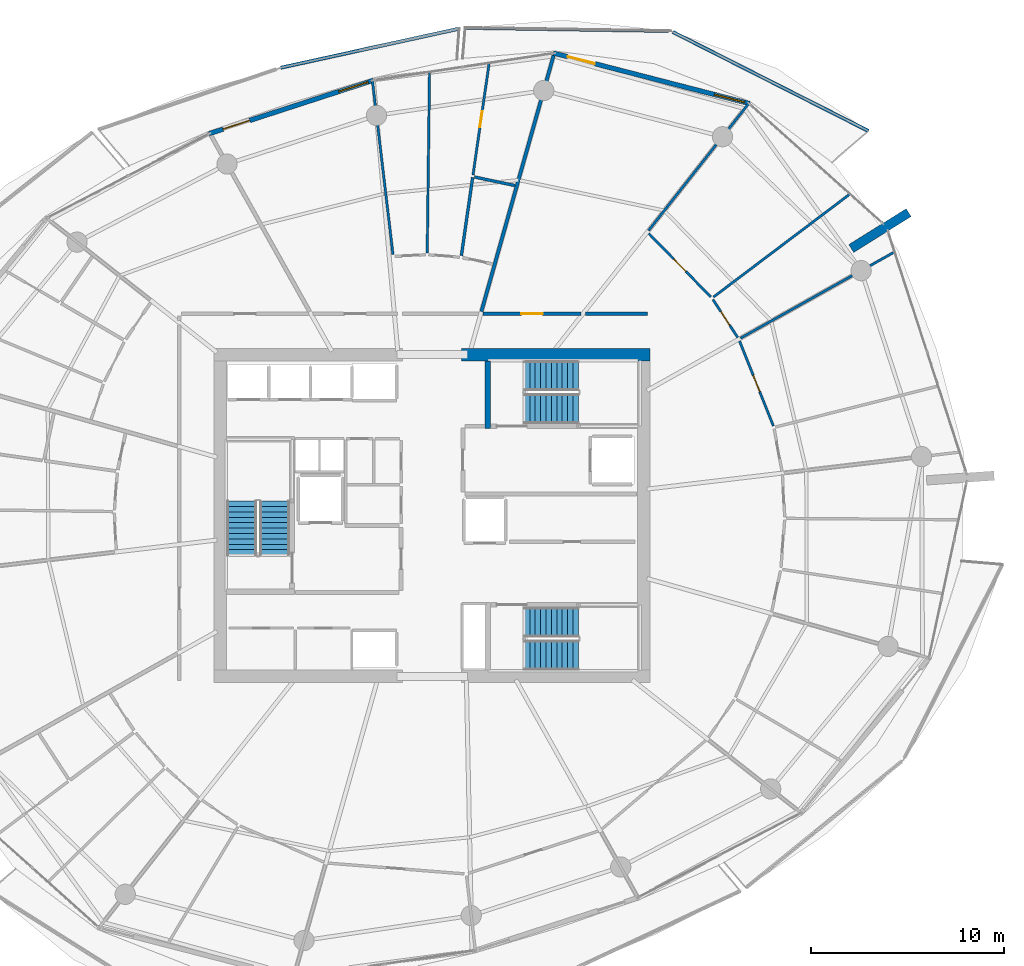
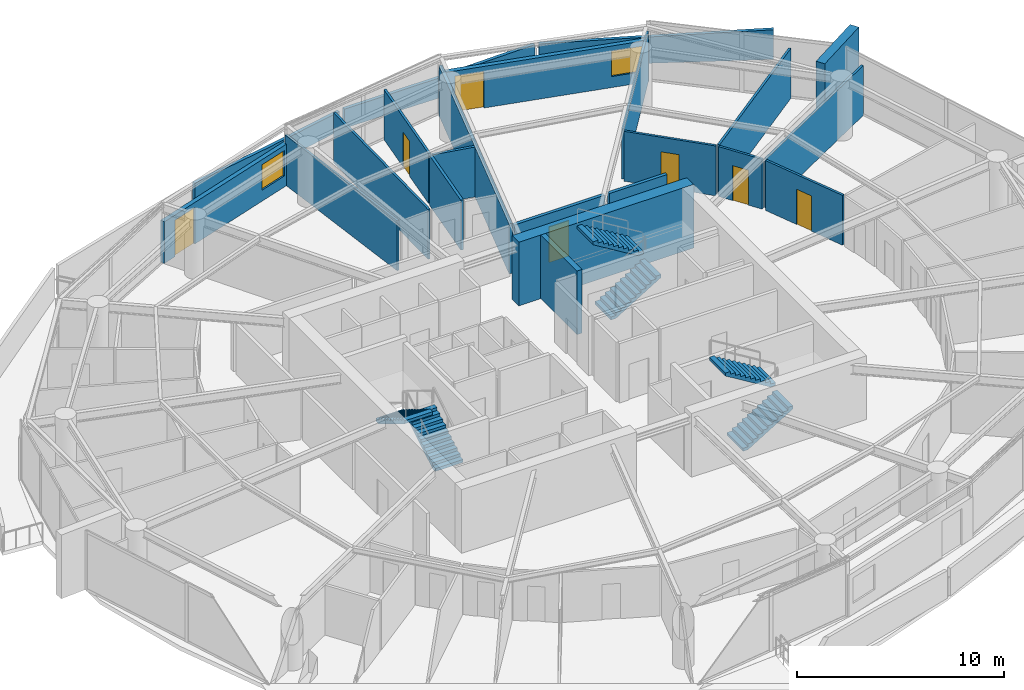
# One storey, part 15 of 20: 22 walls, 7 doors, 6 stair flights, 2 windows, 9 openings, 3 elements without a shape of their own.
"""IFC4 building model written with IfcOpenShell, lengths in metres."""

import ifcopenshell
import ifcopenshell.guid

model = None  # the IFC model being written
_history = None  # IfcOwnerHistory: only IFC2X3 demands one
_inside = {}  # id of a spatial element -> (the spatial element, [elements in it])
_under = {}  # id of a project, library or spatial element -> (it, [spatial elements below it])
_declared = {}  # id of a project -> (the project, [libraries it declares])
_typed = {}  # id of a type object -> (the type object, [elements of that type])
_made_of = {}  # id of a material, layer set ... -> (it, [elements and type objects made of it])


def new_model(schema):
    """Start an empty IFC model of exactly this schema.

    Asked for "IFC4X3", IfcOpenShell would pick the latest addendum, in which some entities
    have other attributes; the version numbers below select the first issue.
    IFC2X3 requires an IfcOwnerHistory on every rooted entity: one is made here for all.
    """
    global model, _history
    if schema == "IFC4X3":
        model = ifcopenshell.file(schema_version=(4, 3, 0, 0))
    else:
        model = ifcopenshell.file(schema=schema)
    _inside.clear()
    _under.clear()
    _declared.clear()
    _typed.clear()
    _made_of.clear()
    _history = None
    if model.schema == "IFC2X3":
        org = make("IfcOrganization", Name="unknown")
        user = make(
            "IfcPersonAndOrganization",
            ThePerson=make("IfcPerson", FamilyName="unknown"),
            TheOrganization=org,
        )
        app = make(
            "IfcApplication",
            ApplicationDeveloper=org,
            Version="unknown",
            ApplicationFullName="unknown",
            ApplicationIdentifier="unknown",
        )
        _history = make(
            "IfcOwnerHistory",
            OwningUser=user,
            OwningApplication=app,
            ChangeAction="ADDED",
            CreationDate=0,
        )
    return model


def make(cls, **values):
    """One entity of the class cls with the attributes given. An attribute that is None is left unset."""
    return model.create_entity(
        cls, **{name: value for name, value in values.items() if value is not None}
    )


def rooted(cls, **values):
    """An entity with a GlobalId (a new one), such as an element, a storey or a relation."""
    return make(cls, GlobalId=ifcopenshell.guid.new(), OwnerHistory=_history, **values)


def si_unit(unit_type, name, prefix=None):
    """IfcSIUnit, for example si_unit("LENGTHUNIT", "METRE", prefix="MILLI")."""
    return make("IfcSIUnit", UnitType=unit_type, Prefix=prefix, Name=name)


def assignment(units):
    """IfcUnitAssignment: the units of a project."""
    return None if units is None else make("IfcUnitAssignment", Units=units)


def point(xyz):
    """IfcCartesianPoint."""
    return None if xyz is None else make("IfcCartesianPoint", Coordinates=xyz)


def direction(xyz):
    """IfcDirection."""
    return None if xyz is None else make("IfcDirection", DirectionRatios=xyz)


def frame(location, z_axis=None, x_axis=None):
    """IfcAxis2Placement3D, a coordinate frame: its origin and axes. An axis left out is left unset."""
    return make(
        "IfcAxis2Placement3D",
        Location=point(location),
        Axis=direction(z_axis),
        RefDirection=direction(x_axis),
    )


def frame_2d(location, x_axis=None):
    """IfcAxis2Placement2D, a coordinate frame in the plane: its origin and x axis."""
    return make(
        "IfcAxis2Placement2D", Location=point(location), RefDirection=direction(x_axis)
    )


def origin():
    """The frame at (0, 0, 0) with its axes left unset."""
    return frame((0.0, 0.0, 0.0))


def place(relative_to, where):
    """IfcLocalPlacement: puts the frame where relative to a parent placement (None: the world)."""
    return make(
        "IfcLocalPlacement", PlacementRelTo=relative_to, RelativePlacement=where
    )


def context(
    kind, dimensions, precision=None, world=None, true_north=None, identifier=None
):
    """IfcGeometricRepresentationContext, for example the 3D "Model" context."""
    return make(
        "IfcGeometricRepresentationContext",
        ContextIdentifier=identifier,
        ContextType=kind,
        CoordinateSpaceDimension=dimensions,
        Precision=precision,
        WorldCoordinateSystem=world,
        TrueNorth=true_north,
    )


def subcontext(parent, identifier, kind, view, scale=None):
    """IfcGeometricRepresentationSubContext, for example "Body" below "Model"."""
    return make(
        "IfcGeometricRepresentationSubContext",
        ContextIdentifier=identifier,
        ContextType=kind,
        ParentContext=parent,
        TargetScale=scale,
        TargetView=view,
    )


def project(units=None, contexts=None):
    """IfcProject with its units and contexts."""
    return rooted(
        "IfcProject",
        Name="project",
        RepresentationContexts=contexts,
        UnitsInContext=assignment(units),
    )


def spatial(cls, under=None, at=None, **own):
    """A site, building, storey or space (cls), placed at a placement, below another one or the project."""
    s = rooted(cls, ObjectPlacement=at, **own)
    if under is not None:
        _under.setdefault(under.id(), (under, []))[1].append(s)
    return s


def polyline(points):
    """IfcPolyline through the points."""
    return make("IfcPolyline", Points=[point(p) for p in points])


def profile(cls, at=None, kind="AREA", **sizes):
    """A parametric profile (cls). Its sizes go by their IFC names, for example OverallWidth=200.0."""
    return make(cls, ProfileType=kind, Position=at, **sizes)


def rectangle(**sizes):
    """IfcRectangleProfileDef."""
    return profile("IfcRectangleProfileDef", **sizes)


def outline(outer, holes=None, kind="AREA"):
    """IfcArbitraryClosedProfileDef: a profile drawn as a closed curve; with holes, ...WithVoids."""
    if holes is None:
        return make("IfcArbitraryClosedProfileDef", ProfileType=kind, OuterCurve=outer)
    return make(
        "IfcArbitraryProfileDefWithVoids",
        ProfileType=kind,
        OuterCurve=outer,
        InnerCurves=holes,
    )


def extrude(swept, where, along, depth):
    """IfcExtrudedAreaSolid: the profile swept, set in the frame where, extruded along a direction by depth."""
    return make(
        "IfcExtrudedAreaSolid",
        SweptArea=swept,
        Position=where,
        ExtrudedDirection=direction(along),
        Depth=depth,
    )


def shape(context_of_items, identifier, shape_type, items):
    """IfcShapeRepresentation: the items that make up one representation, for example the "Body"."""
    return make(
        "IfcShapeRepresentation",
        ContextOfItems=context_of_items,
        RepresentationIdentifier=identifier,
        RepresentationType=shape_type,
        Items=items,
    )


def material(Name=None, Category=None):
    """IfcMaterial."""
    return make("IfcMaterial", Name=Name, Category=Category)


def layer(
    of_material, thickness, ventilated=None, Name=None, Category=None, Priority=None
):
    """IfcMaterialLayer: one layer of a wall or slab, of a material (None: an air gap)."""
    return make(
        "IfcMaterialLayer",
        Material=of_material,
        LayerThickness=thickness,
        IsVentilated=ventilated,
        Name=Name,
        Category=Category,
        Priority=Priority,
    )


def layer_set(layers, Name=None):
    """IfcMaterialLayerSet."""
    return make("IfcMaterialLayerSet", MaterialLayers=layers, LayerSetName=Name)


def made_of(thing, what):
    """Note that an element or type object is made of a material, layer set ...; save() writes the relation."""
    if what is not None:
        _made_of.setdefault(what.id(), (what, []))[1].append(thing)
    return thing


def type_object(cls, material=None, **own):
    """A type object (cls), such as IfcWallType, which elements share."""
    return made_of(rooted(cls, **own), material)


def element(
    cls,
    number,
    at=None,
    inside=None,
    cuts=None,
    type_object=None,
    material=None,
    context=None,
    identifier="Body",
    shape_type=None,
    held_by="IfcProductDefinitionShape",
    body=None,
    shapes=None,
    **own,
):
    """One element of the class cls, such as IfcWall. Its Tag is "e" and its number.

    at: its placement. inside: the storey or other place that contains it. cuts: it is an
    opening in that element (IfcRelVoidsElement). A single representation is given by context,
    identifier, shape_type and body (its items); several are given by shapes. held_by: the class
    of the entity that holds the representations. save() writes the other relations.
    """
    e = rooted(cls, Tag="e%d" % number, ObjectPlacement=at, **own)
    if body is not None:
        shapes = [shape(context, identifier, shape_type, body)]
    if shapes is not None:
        e.Representation = make(held_by, Representations=shapes)
    if inside is not None:
        _inside.setdefault(inside.id(), (inside, []))[1].append(e)
    if cuts is not None:
        rooted(
            "IfcRelVoidsElement", RelatingBuildingElement=cuts, RelatedOpeningElement=e
        )
    if type_object is not None:
        _typed.setdefault(type_object.id(), (type_object, []))[1].append(e)
    return made_of(e, material)


def fill(opening, filler):
    """IfcRelFillsElement: the door or window that sits in an opening."""
    return rooted(
        "IfcRelFillsElement",
        RelatingOpeningElement=opening,
        RelatedBuildingElement=filler,
    )


def aggregate(whole, parts):
    """IfcRelAggregates: a whole, such as a stair, and the parts it consists of."""
    return rooted("IfcRelAggregates", RelatingObject=whole, RelatedObjects=parts)


def save(model, path):
    """Write the relations noted so far, then the file.

    IfcRelAggregates (storeys below a building ...), IfcRelContainedInSpatialStructure (elements
    in a storey), IfcRelDefinesByType, IfcRelAssociatesMaterial and IfcRelDeclares: one each for
    every whole, place, type object, material and project.
    """
    for whole, parts in _under.values():
        aggregate(whole, parts)
    for where, things in _inside.values():
        rooted(
            "IfcRelContainedInSpatialStructure",
            RelatedElements=things,
            RelatingStructure=where,
        )
    for kind, things in _typed.values():
        rooted("IfcRelDefinesByType", RelatedObjects=things, RelatingType=kind)
    for what, things in _made_of.values():
        rooted("IfcRelAssociatesMaterial", RelatedObjects=things, RelatingMaterial=what)
    for by, libraries in _declared.values():
        rooted("IfcRelDeclares", RelatingContext=by, RelatedDefinitions=libraries)
    model.write(path)


model = new_model("IFC4")

# Units and contexts
model_context = context("Model", 3, precision=1e-05, world=origin(), true_north=direction((0.0, 1.0)))
body_context = subcontext(model_context, "Body", "Model", "MODEL_VIEW")
ifc_project = project(units=[si_unit("LENGTHUNIT", "METRE"), si_unit("AREAUNIT", "SQUARE_METRE"), si_unit("VOLUMEUNIT", "CUBIC_METRE"), si_unit("PLANEANGLEUNIT", "RADIAN"), si_unit("MASSUNIT", "GRAM", prefix="KILO")], contexts=[model_context])

# Site, building, storey
site_placement = place(None, origin())
site = spatial("IfcSite", under=ifc_project, at=site_placement, CompositionType="ELEMENT")
building_placement = place(site_placement, origin())
building = spatial("IfcBuilding", under=site, at=building_placement, Name="Kazma Halo Residences", CompositionType="ELEMENT")
storey_placement = place(building_placement, frame((0.0, 0.0, 202.800048828125)))
storey = spatial("IfcBuildingStorey", under=building, at=storey_placement, Name="L51", CompositionType="ELEMENT", Elevation=202.800048828125)

# Walls
ifc_material_1 = material(Name="White Concrete C50/60 Balustrade", Category="concrete")
ifc_layer_1 = layer(ifc_material_1, 0.179931640625)
ifc_layer_set_1 = layer_set([ifc_layer_1], Name="White Concrete C50/60 Balustrade")
wall_type_1 = type_object("IfcWallType", Name="WL-BAL-WAVE-180", PredefinedType="PARAPET", material=ifc_layer_set_1)
wall_1_placement = place(storey_placement, frame((71.006103515625, 61.893310546875, 0.0), z_axis=(0.0, 0.0, 1.0), x_axis=(-0.892126203774, 0.451786273076, 0.0)))
element("IfcWall", 1, at=wall_1_placement, inside=storey, type_object=wall_type_1, Name="L51 white wave balustrade wall NE.1", PredefinedType="PARAPET", context=body_context, shape_type="SweptSolid", body=[
    extrude(outline(polyline([(0.0, 0.0), (11.34716796875, 0.0), (11.34716796875, 1.347900390625), (5.673583984375, 1.56201171875), (0.0, 1.7470703125), (0.0, 0.0)])), frame((0.0, 0.08984375, 0.0), z_axis=(0.0, -1.0, 0.0), x_axis=(1.0, 0.0, 0.0)), (0.0, 0.0, 1.0), 0.179931640625),
])
wall_2_placement = place(storey_placement, frame((60.656005859375, 67.075927734375, 0.0), z_axis=(0.0, 0.0, 1.0), x_axis=(-0.999879009424, 0.015555272861, 0.0)))
element("IfcWall", 2, at=wall_2_placement, inside=storey, type_object=wall_type_1, Name="L51 white wave balustrade wall NE.2", PredefinedType="PARAPET", context=body_context, shape_type="SweptSolid", body=[
    extrude(outline(polyline([(0.0, 0.0), (10.515625, 0.0), (10.515625, 1.119873046875), (5.2578125, 1.181884765625), (0.0, 1.347900390625), (0.0, 0.0)])), frame((0.0, 0.08984375, 0.0), z_axis=(0.0, -1.0, 0.0), x_axis=(1.0, 0.0, 0.0)), (0.0, 0.0, 1.0), 0.179931640625),
])
wall_3_placement = place(storey_placement, frame((49.827880859375, 67.192626953125, 0.0), z_axis=(0.0, 0.0, 1.0), x_axis=(-0.976834914213, -0.213994276499, 0.0)))
element("IfcWall", 3, at=wall_3_placement, inside=storey, type_object=wall_type_1, Name="L51 white wave balustrade wall NNW.1", PredefinedType="PARAPET", context=body_context, shape_type="SweptSolid", body=[
    extrude(outline(polyline([(0.0, 0.0), (9.449951171875, 0.0), (9.44970703125, 1.347900390625), (4.724853515625, 1.181884765625), (0.0, 1.119873046875), (0.0, 0.0)])), frame((0.0, 0.08984375, 0.0), z_axis=(0.0, -1.0, 0.0), x_axis=(1.0, 0.0, 0.0)), (0.0, 0.0, 1.0), 0.179931640625),
])
ifc_material_2 = material(Name="Pale Concrete C60/75", Category="concrete")
ifc_layer_2 = layer(ifc_material_2, 0.47998046875)
ifc_layer_set_2 = layer_set([ifc_layer_2], Name="Pale Concrete C60/75")
wall_type_2 = type_object("IfcWallType", Name="WL-BLADE-480", PredefinedType="SOLIDWALL", material=ifc_layer_set_2)
wall_4_placement = place(storey_placement, frame((70.11376953125, 55.818115234375, 0.0), z_axis=(0.0, 0.0, 1.0), x_axis=(0.848033572426, 0.529942506352, 0.0)))
element("IfcWall", 4, at=wall_4_placement, inside=storey, type_object=wall_type_2, Name="L51 pale concrete structural blade fin wall BW-01", PredefinedType="SOLIDWALL", context=body_context, shape_type="SweptSolid", body=[
    extrude(rectangle(XDim=3.5, YDim=0.47998046875, at=frame_2d((1.75, 0.0))), origin(), (0.0, 0.0, 1.0), 3.75),
])
ifc_material_3 = material(Name="Concrete C60/75", Category="concrete")
ifc_layer_3 = layer(ifc_material_3, 0.64990234375)
ifc_layer_set_3 = layer_set([ifc_layer_3], Name="Concrete C60/75")
wall_type_3 = type_object("IfcWallType", Name="WL-CORE-650", PredefinedType="SHEAR", material=ifc_layer_set_3)
wall_5_placement = place(storey_placement, frame((49.949951171875, 50.324951171875, 0.0), z_axis=(0.0, 0.0, 1.0), x_axis=(1.0, 0.0, 0.0)))
element("IfcWall", 5, at=wall_5_placement, inside=storey, type_object=wall_type_3, Name="L51 central core shear wall NE", PredefinedType="SHEAR", context=body_context, shape_type="SweptSolid", body=[
    extrude(rectangle(XDim=9.75, YDim=0.64990234375, at=frame_2d((4.875, 0.0))), origin(), (0.0, 0.0, 1.0), 3.75),
])
ifc_layer_4 = layer(ifc_material_3, 0.280029296875)
ifc_layer_set_4 = layer_set([ifc_layer_4], Name="Concrete C60/75")
wall_type_4 = type_object("IfcWallType", Name="WL-CORE-ST-280", PredefinedType="SHEAR", material=ifc_layer_set_4)
wall_6_placement = place(storey_placement, frame((51.31005859375, 46.5, 0.0), z_axis=(0.0, 0.0, 1.0), x_axis=(0.0, 1.0, 0.0)))
element("IfcWall", 6, at=wall_6_placement, inside=storey, type_object=wall_type_4, Name="L51 stairwell bearing wall ST02-W", PredefinedType="SHEAR", context=body_context, shape_type="SweptSolid", body=[
    extrude(rectangle(XDim=3.5, YDim=0.280029296875, at=frame_2d((1.75, 0.0))), origin(), (0.0, 0.0, 1.0), 3.75),
])
ifc_material_4 = material(Name="Acoustic Twin-Stud Gypsum")
ifc_layer_5 = layer(ifc_material_4, 0.179931640625)
ifc_layer_set_5 = layer_set([ifc_layer_5], Name="Acoustic Twin-Stud Gypsum")
wall_type_5 = type_object("IfcWallType", Name="WL-DEM-180", PredefinedType="PARTITIONING", material=ifc_layer_set_5)
wall_7_placement = place(storey_placement, frame((50.97705078125, 52.555908203125, 0.0), z_axis=(0.0, 0.0, 1.0), x_axis=(0.271443307373, 0.962454430548, 0.0)))
element("IfcWall", 7, at=wall_7_placement, inside=storey, type_object=wall_type_5, Name="L51 apartment demising radial wall 02", PredefinedType="PARTITIONING", context=body_context, shape_type="SweptSolid", body=[
    extrude(rectangle(XDim=13.75927734375, YDim=0.179931640625, at=frame_2d((6.879638671875, 0.0))), origin(), (0.0, 0.0, 1.0), 2.93994140625),
])

# Wall, opening, door
wall_8_placement = place(storey_placement, frame((56.1181640625, 52.449951171875, 0.0), z_axis=(0.0, 0.0, 1.0), x_axis=(-1.0, 0.0, 0.0)))
wall_8 = element("IfcWall", 8, at=wall_8_placement, inside=storey, type_object=wall_type_5, Name="L51 Apartment 4 entrance corridor wall", PredefinedType="PARTITIONING", context=body_context, shape_type="SweptSolid", body=[
    extrude(rectangle(XDim=5.051025390625, YDim=0.179931640625, at=frame_2d((2.525390625, 0.0))), origin(), (0.0, 0.0, 1.0), 2.93994140625),
])
opening_1_placement = place(wall_8_placement, frame((1.975341796875, 0.0, 0.0)))
opening_1 = element("IfcOpeningElement", 9, at=opening_1_placement, cuts=wall_8, Name="Opening DA-1100", PredefinedType="OPENING", context=body_context, shape_type="SweptSolid", body=[
    extrude(rectangle(XDim=1.10009765625, YDim=2.10009765625, at=frame_2d((0.550048828125, 1.050048828125))), frame((0.0, 0.099853515625, 0.0), z_axis=(0.0, -1.0, 0.0), x_axis=(1.0, 0.0, 0.0)), (0.0, 0.0, 1.0), 0.199951171875),
])
ifc_material_5 = material(Name="Acoustic Walnut Fire Leaf")
door_type_1 = type_object("IfcDoorType", Name="DR-FD60-1100", OperationType="NOTDEFINED", PredefinedType="DOOR", material=ifc_material_5)
door_1_placement = place(opening_1_placement, origin())
door_1 = element("IfcDoor", 10, at=door_1_placement, inside=storey, type_object=door_type_1, Name="L51 Apartment 4 entrance fire door", OperationType="SINGLE_SWING_RIGHT", OverallHeight=2.10009765625, OverallWidth=1.10009765625, PredefinedType="DOOR", context=body_context, shape_type="SweptSolid", body=[
    extrude(rectangle(XDim=1.10009765625, YDim=2.10009765625, at=frame_2d((0.550048828125, 1.050048828125))), frame((0.0, 0.02490234375, 0.0), z_axis=(0.0, -1.0, 0.0), x_axis=(1.0, 0.0, 0.0)), (0.0, 0.0, 1.0), 0.050048828125),
])
fill(opening_1, door_1)

# Wall
wall_9_placement = place(storey_placement, frame((59.580078125, 52.449951171875, 0.0), z_axis=(0.0, 0.0, 1.0), x_axis=(-1.0, 0.0, 0.0)))
element("IfcWall", 11, at=wall_9_placement, inside=storey, type_object=wall_type_5, Name="L51 Apartment 4 inner wall 0", PredefinedType="PARTITIONING", context=body_context, shape_type="SweptSolid", body=[
    extrude(rectangle(XDim=3.221923828125, YDim=0.179931640625, at=frame_2d((1.61083984375, 0.0))), origin(), (0.0, 0.0, 1.0), 2.93994140625),
])

# Wall, openings, door, window
ifc_material_6 = material(Name="Insulated Pale-Metal Composite Wall")
ifc_layer_6 = layer(ifc_material_6, 0.239990234375)
ifc_layer_set_6 = layer_set([ifc_layer_6], Name="Insulated Pale-Metal Composite Wall")
wall_type_6 = type_object("IfcWallType", Name="WL-EXT-HOST-240", PredefinedType="SOLIDWALL", material=ifc_layer_set_6)
wall_10_placement = place(storey_placement, frame((64.860107421875, 63.31298828125, 0.0), z_axis=(0.0, 0.0, 1.0), x_axis=(-0.968374028006, 0.249502989727, 0.0)))
wall_10 = element("IfcWall", 12, at=wall_10_placement, inside=storey, type_object=wall_type_6, Name="L51 exterior terrace-access wall B02", PredefinedType="SOLIDWALL", context=body_context, shape_type="SweptSolid", body=[
    extrude(rectangle(XDim=10.494384765625, YDim=0.239990234375, at=frame_2d((5.2470703125, 0.0))), origin(), (0.0, 0.0, 1.0), 2.449951171875),
])
opening_2_placement = place(wall_10_placement, frame((8.2744140625, 0.0, 0.0)))
opening_2 = element("IfcOpeningElement", 13, at=opening_2_placement, cuts=wall_10, Name="Opening DTR-1600", PredefinedType="OPENING", context=body_context, shape_type="SweptSolid", body=[
    extrude(rectangle(XDim=1.449951171875, YDim=2.14990234375, at=frame_2d((0.72509765625, 1.074951171875))), frame((0.0, 0.1298828125, 0.0), z_axis=(0.0, -1.0, 0.0), x_axis=(1.0, 0.0, 0.0)), (0.0, 0.0, 1.0), 0.260009765625),
])
opening_3_placement = place(wall_10_placement, frame((0.280029296875, 0.0, 0.64990234375)))
opening_3 = element("IfcOpeningElement", 14, at=opening_3_placement, cuts=wall_10, Name="Opening W-1800", PredefinedType="OPENING", context=body_context, shape_type="SweptSolid", body=[
    extrude(rectangle(XDim=1.60009765625, YDim=1.5, at=frame_2d((0.800048828125, 0.75))), frame((0.0, 0.1298828125, 0.0), z_axis=(0.0, -1.0, 0.0), x_axis=(1.0, 0.0, 0.0)), (0.0, 0.0, 1.0), 0.260009765625),
])
ifc_material_7 = material(Name="Aluminium AW-6063 T6 Double-Glazed Terrace Door", Category="aluminium")
door_type_2 = type_object("IfcDoorType", Name="DR-EXT-TERR-1600", OperationType="NOTDEFINED", PredefinedType="DOOR", material=ifc_material_7)
door_2_placement = place(opening_2_placement, origin())
door_2 = element("IfcDoor", 15, at=door_2_placement, inside=storey, type_object=door_type_2, Name="L51 B02 balcony terrace door", OperationType="DOUBLE_DOOR_SLIDING", OverallHeight=2.14990234375, OverallWidth=1.449951171875, PredefinedType="DOOR", context=body_context, shape_type="SweptSolid", body=[
    extrude(rectangle(XDim=1.449951171875, YDim=2.14990234375, at=frame_2d((0.72509765625, 1.074951171875))), frame((0.0, 0.02490234375, 0.0), z_axis=(0.0, -1.0, 0.0), x_axis=(1.0, 0.0, 0.0)), (0.0, 0.0, 1.0), 0.050048828125),
])
fill(opening_2, door_2)
ifc_material_8 = material(Name="Clear Triple-Silver Low-E Glass in Aluminium AW-6063 T6 Frame", Category="aluminium")
window_type = type_object("IfcWindowType", Name="WIN-RES-1800", PartitioningType="DOUBLE_PANEL_VERTICAL", PredefinedType="WINDOW", material=ifc_material_8)
window_1_placement = place(opening_3_placement, origin())
window_1 = element("IfcWindow", 16, at=window_1_placement, inside=storey, type_object=window_type, Name="L51 B02 apartment window", OverallHeight=1.5, OverallWidth=1.60009765625, PartitioningType="SINGLE_PANEL", PredefinedType="WINDOW", context=body_context, shape_type="SweptSolid", body=[
    extrude(rectangle(XDim=1.60009765625, YDim=1.5, at=frame_2d((0.800048828125, 0.75))), frame((0.0, 0.030029296875, 0.0), z_axis=(0.0, -1.0, 0.0), x_axis=(1.0, 0.0, 0.0)), (0.0, 0.0, 1.0), 0.06005859375),
])
fill(opening_3, window_1)

wall_11_placement = place(storey_placement, frame((45.38427734375, 64.518798828125, 0.0), z_axis=(0.0, 0.0, 1.0), x_axis=(-0.951058543936, -0.309010753869, 0.0)))
wall_11 = element("IfcWall", 17, at=wall_11_placement, inside=storey, type_object=wall_type_6, Name="L51 exterior terrace-access wall B04", PredefinedType="SOLIDWALL", context=body_context, shape_type="SweptSolid", body=[
    extrude(rectangle(XDim=8.942138671875, YDim=0.239990234375, at=frame_2d((4.47119140625, 0.0))), origin(), (0.0, 0.0, 1.0), 2.449951171875),
])
opening_4_placement = place(wall_11_placement, frame((6.721923828125, 0.0, 0.0)))
opening_4 = element("IfcOpeningElement", 18, at=opening_4_placement, cuts=wall_11, Name="Opening DTR-1600", PredefinedType="OPENING", context=body_context, shape_type="SweptSolid", body=[
    extrude(rectangle(XDim=1.449951171875, YDim=2.14990234375, at=frame_2d((0.72509765625, 1.074951171875))), frame((0.0, 0.1298828125, 0.0), z_axis=(0.0, -1.0, 0.0), x_axis=(1.0, 0.0, 0.0)), (0.0, 0.0, 1.0), 0.260009765625),
])
opening_5_placement = place(wall_11_placement, frame((0.280029296875, 0.0, 0.64990234375)))
opening_5 = element("IfcOpeningElement", 19, at=opening_5_placement, cuts=wall_11, Name="Opening W-1800", PredefinedType="OPENING", context=body_context, shape_type="SweptSolid", body=[
    extrude(rectangle(XDim=1.60009765625, YDim=1.5, at=frame_2d((0.800048828125, 0.75))), frame((0.0, 0.1298828125, 0.0), z_axis=(0.0, -1.0, 0.0), x_axis=(1.0, 0.0, 0.0)), (0.0, 0.0, 1.0), 0.260009765625),
])
door_3_placement = place(opening_4_placement, origin())
door_3 = element("IfcDoor", 20, at=door_3_placement, inside=storey, type_object=door_type_2, Name="L51 B04 balcony terrace door", OperationType="DOUBLE_DOOR_SLIDING", OverallHeight=2.14990234375, OverallWidth=1.449951171875, PredefinedType="DOOR", context=body_context, shape_type="SweptSolid", body=[
    extrude(rectangle(XDim=1.449951171875, YDim=2.14990234375, at=frame_2d((0.72509765625, 1.074951171875))), frame((0.0, 0.02490234375, 0.0), z_axis=(0.0, -1.0, 0.0), x_axis=(1.0, 0.0, 0.0)), (0.0, 0.0, 1.0), 0.050048828125),
])
fill(opening_4, door_3)
window_2_placement = place(opening_5_placement, origin())
window_2 = element("IfcWindow", 21, at=window_2_placement, inside=storey, type_object=window_type, Name="L51 B04 apartment window", OverallHeight=1.5, OverallWidth=1.60009765625, PartitioningType="SINGLE_PANEL", PredefinedType="WINDOW", context=body_context, shape_type="SweptSolid", body=[
    extrude(rectangle(XDim=1.60009765625, YDim=1.5, at=frame_2d((0.800048828125, 0.75))), frame((0.0, 0.030029296875, 0.0), z_axis=(0.0, -1.0, 0.0), x_axis=(1.0, 0.0, 0.0)), (0.0, 0.0, 1.0), 0.06005859375),
])
fill(opening_5, window_2)

# Wall
ifc_material_9 = material(Name="Gypsum Plasterboard Partition")
ifc_layer_7 = layer(ifc_material_9, 0.125)
ifc_layer_set_7 = layer_set([ifc_layer_7], Name="Gypsum Plasterboard Partition")
wall_type_7 = type_object("IfcWallType", Name="WL-PART-125", PredefinedType="PARTITIONING", material=ifc_layer_set_7)
wall_12_placement = place(storey_placement, frame((46.40185546875, 55.502685546875, 0.0), z_axis=(0.0, 0.0, 1.0), x_axis=(-0.117526089467, 0.993069795279, 0.0)))
element("IfcWall", 22, at=wall_12_placement, inside=storey, type_object=wall_type_7, Name="L51 Apartment 1 living radial partition 2", PredefinedType="PARTITIONING", context=body_context, shape_type="SweptSolid", body=[
    extrude(rectangle(XDim=9.03857421875, YDim=0.125, at=frame_2d((4.519287109375, 0.0))), origin(), (0.0, 0.0, 1.0), 2.93994140625),
])

# Wall, opening, door
wall_13_placement = place(storey_placement, frame((50.543701171875, 59.62451171875, 0.0), z_axis=(0.0, 0.0, 1.0), x_axis=(0.142847588942, 0.989744697553, 0.0)))
wall_13 = element("IfcWall", 23, at=wall_13_placement, inside=storey, type_object=wall_type_7, Name="L51 Apartment 1 Utility Laundry Room partition wall", PredefinedType="PARTITIONING", context=body_context, shape_type="SweptSolid", body=[
    extrude(rectangle(XDim=5.822998046875, YDim=0.125, at=frame_2d((2.91162109375, 0.0))), origin(), (0.0, 0.0, 1.0), 2.93994140625),
])
opening_6_placement = place(wall_13_placement, frame((2.486572265625, 0.0, 0.0)))
opening_6 = element("IfcOpeningElement", 24, at=opening_6_placement, cuts=wall_13, Name="Opening DB-900", PredefinedType="OPENING", context=body_context, shape_type="SweptSolid", body=[
    extrude(rectangle(XDim=0.85009765625, YDim=2.06005859375, at=frame_2d((0.425048828125, 1.030029296875))), frame((0.0, 0.072509765625, 0.0), z_axis=(0.0, -1.0, 0.0), x_axis=(1.0, 0.0, 0.0)), (0.0, 0.0, 1.0), 0.14501953125),
])
ifc_material_10 = material(Name="Moisture-Sealed Timber Leaf", Category="wood")
door_type_3 = type_object("IfcDoorType", Name="DR-BTH-900", OperationType="NOTDEFINED", PredefinedType="DOOR", material=ifc_material_10)
door_4_placement = place(opening_6_placement, origin())
door_4 = element("IfcDoor", 25, at=door_4_placement, inside=storey, type_object=door_type_3, Name="L51 Apartment 1 Utility Laundry Room door", OperationType="SINGLE_SWING_LEFT", OverallHeight=2.06005859375, OverallWidth=0.85009765625, PredefinedType="DOOR", context=body_context, shape_type="SweptSolid", body=[
    extrude(rectangle(XDim=0.85009765625, YDim=2.06005859375, at=frame_2d((0.425048828125, 1.030029296875))), frame((0.0, 0.02490234375, 0.0), z_axis=(0.0, -1.0, 0.0), x_axis=(1.0, 0.0, 0.0)), (0.0, 0.0, 1.0), 0.050048828125),
])
fill(opening_6, door_4)

# Wall
wall_14_placement = place(storey_placement, frame((48.17333984375, 55.5859375, 0.0), z_axis=(0.0, 0.0, 1.0), x_axis=(0.012758799277, 0.999918603208, 0.0)))
element("IfcWall", 26, at=wall_14_placement, inside=storey, type_object=wall_type_7, Name="L51 Apartment 1 suite divider 2", PredefinedType="PARTITIONING", context=body_context, shape_type="SweptSolid", body=[
    extrude(rectangle(XDim=9.337890625, YDim=0.125, at=frame_2d((4.6689453125, 0.0))), origin(), (0.0, 0.0, 1.0), 2.93994140625),
])

# Wall, opening, door
wall_15_placement = place(storey_placement, frame((66.082275390625, 46.6337890625, 0.0), z_axis=(0.0, 0.0, 1.0), x_axis=(-0.369567399645, 0.929203926552, 0.0)))
wall_15 = element("IfcWall", 27, at=wall_15_placement, inside=storey, type_object=wall_type_7, Name="L51 Apartment 4 Gulf Formal Dining Room hall wall", PredefinedType="PARTITIONING", context=body_context, shape_type="SweptSolid", body=[
    extrude(rectangle(XDim=4.734619140625, YDim=0.125, at=frame_2d((2.3671875, 0.0))), origin(), (0.0, 0.0, 1.0), 2.93994140625),
])
opening_7_placement = place(wall_15_placement, frame((1.917236328125, 0.0, 0.0)))
opening_7 = element("IfcOpeningElement", 28, at=opening_7_placement, cuts=wall_15, Name="Opening DI-950", PredefinedType="OPENING", context=body_context, shape_type="SweptSolid", body=[
    extrude(rectangle(XDim=0.89990234375, YDim=2.080078125, at=frame_2d((0.449951171875, 1.0400390625))), frame((0.0, 0.072509765625, 0.0), z_axis=(0.0, -1.0, 0.0), x_axis=(1.0, 0.0, 0.0)), (0.0, 0.0, 1.0), 0.14501953125),
])
ifc_material_11 = material(Name="Timber Veneer Flush Leaf", Category="wood")
door_type_4 = type_object("IfcDoorType", Name="DR-INT-950", OperationType="NOTDEFINED", PredefinedType="DOOR", material=ifc_material_11)
door_5_placement = place(opening_7_placement, origin())
door_5 = element("IfcDoor", 29, at=door_5_placement, inside=storey, type_object=door_type_4, Name="L51 Apartment 4 Gulf Formal Dining Room door", OperationType="SINGLE_SWING_RIGHT", OverallHeight=2.080078125, OverallWidth=0.89990234375, PredefinedType="DOOR", context=body_context, shape_type="SweptSolid", body=[
    extrude(rectangle(XDim=0.89990234375, YDim=2.080078125, at=frame_2d((0.449951171875, 1.0400390625))), frame((0.0, 0.02490234375, 0.0), z_axis=(0.0, -1.0, 0.0), x_axis=(1.0, 0.0, 0.0)), (0.0, 0.0, 1.0), 0.050048828125),
])
fill(opening_7, door_5)

# Walls
wall_16_placement = place(storey_placement, frame((64.3828125, 51.1748046875, 0.0), z_axis=(0.0, 0.0, 1.0), x_axis=(0.872496427588, 0.488620490611, 0.0)))
element("IfcWall", 30, at=wall_16_placement, inside=storey, type_object=wall_type_7, Name="L51 Apartment 4 radial partition 0", PredefinedType="PARTITIONING", context=body_context, shape_type="SweptSolid", body=[
    extrude(rectangle(XDim=9.1181640625, YDim=0.125, at=frame_2d((4.55908203125, 0.0))), origin(), (0.0, 0.0, 1.0), 2.93994140625),
])
wall_17_placement = place(storey_placement, frame((59.624755859375, 56.745849609375, 0.0), z_axis=(0.0, 0.0, 1.0), x_axis=(0.619083134383, 0.785325456561, 0.0)))
element("IfcWall", 31, at=wall_17_placement, inside=storey, type_object=wall_type_7, Name="L51 Apartment 4 living radial partition 0", PredefinedType="PARTITIONING", context=body_context, shape_type="SweptSolid", body=[
    extrude(rectangle(XDim=8.353271484375, YDim=0.125, at=frame_2d((4.1767578125, 0.0))), origin(), (0.0, 0.0, 1.0), 2.93994140625),
])
wall_18_placement = place(storey_placement, frame((62.98095703125, 53.303466796875, 0.0), z_axis=(0.0, 0.0, 1.0), x_axis=(0.798266473747, 0.602304438711, 0.0)))
element("IfcWall", 32, at=wall_18_placement, inside=storey, type_object=wall_type_7, Name="L51 Apartment 4 mid-bay wall 0", PredefinedType="PARTITIONING", context=body_context, shape_type="SweptSolid", body=[
    extrude(rectangle(XDim=8.822021484375, YDim=0.125, at=frame_2d((4.4111328125, 0.0))), origin(), (0.0, 0.0, 1.0), 2.93994140625),
])

# Wall, opening, door
wall_19_placement = place(storey_placement, frame((64.240966796875, 51.209716796875, 0.0), z_axis=(0.0, 0.0, 1.0), x_axis=(-0.546782970229, 0.837274377649, 0.0)))
wall_19 = element("IfcWall", 33, at=wall_19_placement, inside=storey, type_object=wall_type_7, Name="L51 Apartment 4 Primary Dressing Wardrobe hall wall", PredefinedType="PARTITIONING", context=body_context, shape_type="SweptSolid", body=[
    extrude(rectangle(XDim=2.355712890625, YDim=0.125, at=frame_2d((1.177734375, 0.0))), origin(), (0.0, 0.0, 1.0), 2.93994140625),
])
opening_8_placement = place(wall_19_placement, frame((0.7529296875, 0.0, 0.0)))
opening_8 = element("IfcOpeningElement", 34, at=opening_8_placement, cuts=wall_19, Name="Opening DB-900", PredefinedType="OPENING", context=body_context, shape_type="SweptSolid", body=[
    extrude(rectangle(XDim=0.85009765625, YDim=2.06005859375, at=frame_2d((0.425048828125, 1.030029296875))), frame((0.0, 0.072509765625, 0.0), z_axis=(0.0, -1.0, 0.0), x_axis=(1.0, 0.0, 0.0)), (0.0, 0.0, 1.0), 0.14501953125),
])
door_6_placement = place(opening_8_placement, origin())
door_6 = element("IfcDoor", 35, at=door_6_placement, inside=storey, type_object=door_type_3, Name="L51 Apartment 4 Primary Dressing Wardrobe door", OperationType="SINGLE_SWING_RIGHT", OverallHeight=2.06005859375, OverallWidth=0.85009765625, PredefinedType="DOOR", context=body_context, shape_type="SweptSolid", body=[
    extrude(rectangle(XDim=0.85009765625, YDim=2.06005859375, at=frame_2d((0.425048828125, 1.030029296875))), frame((0.0, 0.02490234375, 0.0), z_axis=(0.0, -1.0, 0.0), x_axis=(1.0, 0.0, 0.0)), (0.0, 0.0, 1.0), 0.050048828125),
])
fill(opening_8, door_6)

wall_20_placement = place(storey_placement, frame((62.853271484375, 53.306396484375, 0.0), z_axis=(0.0, 0.0, 1.0), x_axis=(-0.699562743434, 0.714571177699, 0.0)))
wall_20 = element("IfcWall", 36, at=wall_20_placement, inside=storey, type_object=wall_type_7, Name="L51 Apartment 4 Secondary Master Bedroom hall wall", PredefinedType="PARTITIONING", context=body_context, shape_type="SweptSolid", body=[
    extrude(rectangle(XDim=4.603515625, YDim=0.125, at=frame_2d((2.3017578125, 0.0))), origin(), (0.0, 0.0, 1.0), 2.93994140625),
])
opening_9_placement = place(wall_20_placement, frame((1.851806640625, 0.0, 0.0)))
opening_9 = element("IfcOpeningElement", 37, at=opening_9_placement, cuts=wall_20, Name="Opening DI-950", PredefinedType="OPENING", context=body_context, shape_type="SweptSolid", body=[
    extrude(rectangle(XDim=0.89990234375, YDim=2.080078125, at=frame_2d((0.449951171875, 1.0400390625))), frame((0.0, 0.072509765625, 0.0), z_axis=(0.0, -1.0, 0.0), x_axis=(1.0, 0.0, 0.0)), (0.0, 0.0, 1.0), 0.14501953125),
])
door_7_placement = place(opening_9_placement, origin())
door_7 = element("IfcDoor", 38, at=door_7_placement, inside=storey, type_object=door_type_4, Name="L51 Apartment 4 Secondary Master Bedroom door", OperationType="SINGLE_SWING_LEFT", OverallHeight=2.080078125, OverallWidth=0.89990234375, PredefinedType="DOOR", context=body_context, shape_type="SweptSolid", body=[
    extrude(rectangle(XDim=0.89990234375, YDim=2.080078125, at=frame_2d((0.449951171875, 1.0400390625))), frame((0.0, 0.02490234375, 0.0), z_axis=(0.0, -1.0, 0.0), x_axis=(1.0, 0.0, 0.0)), (0.0, 0.0, 1.0), 0.050048828125),
])
fill(opening_9, door_7)

# Walls
ifc_material_12 = material(Name="Moisture-Resistant Gypsum")
ifc_layer_8 = layer(ifc_material_12, 0.14990234375)
ifc_layer_set_8 = layer_set([ifc_layer_8], Name="Moisture-Resistant Gypsum")
wall_type_8 = type_object("IfcWallType", Name="WL-WET-150", PredefinedType="PARTITIONING", material=ifc_layer_set_8)
wall_21_placement = place(storey_placement, frame((52.711181640625, 59.072509765625, 0.0), z_axis=(0.0, 0.0, 1.0), x_axis=(-0.978208139302, 0.207626675075, 0.0)))
element("IfcWall", 39, at=wall_21_placement, inside=storey, type_object=wall_type_8, Name="L51 Apartment 1 Guest Bathroom back wall", PredefinedType="PARTITIONING", context=body_context, shape_type="SweptSolid", body=[
    extrude(rectangle(XDim=2.138916015625, YDim=0.14990234375, at=frame_2d((1.0693359375, 0.0))), origin(), (0.0, 0.0, 1.0), 2.93994140625),
])
wall_22_placement = place(storey_placement, frame((49.94091796875, 55.44775390625, 0.0), z_axis=(0.0, 0.0, 1.0), x_axis=(0.142850308916, 0.989744304981, 0.0)))
element("IfcWall", 40, at=wall_22_placement, inside=storey, type_object=wall_type_8, Name="L51 Apartment 1 Guest Bathroom side wall", PredefinedType="PARTITIONING", context=body_context, shape_type="SweptSolid", body=[
    extrude(rectangle(XDim=4.08984375, YDim=0.14990234375, at=frame_2d((2.044921875, 0.0))), origin(), (0.0, 0.0, 1.0), 2.93994140625),
])

# Stair, stair flights
ifc_material_13 = material(Name="Concrete C50/60", Category="concrete")
stair_type = type_object("IfcStairType", Name="STR-RES1", PredefinedType="HALF_TURN_STAIR", material=ifc_material_13)
stair_1_placement = place(storey_placement, origin())
stair_1 = element("IfcStair", 41, at=stair_1_placement, inside=storey, type_object=stair_type, Name="L51 Core exit stair ST-01", PredefinedType="HALF_TURN_STAIR")
stair_flight_type = type_object("IfcStairFlightType", Name="STR-RES1-FLT", PredefinedType="STRAIGHT", material=ifc_material_13)
stair_flight_1_placement = place(storey_placement, frame((40.27490234375, 39.949951171875, 0.0), z_axis=(0.0, 0.0, 1.0), x_axis=(0.0, 1.0, 0.0)))
stair_flight_1 = element("IfcStairFlight", 42, at=stair_flight_1_placement, type_object=stair_flight_type, Name="ST-01 flight 1", NumberOfRisers=11, NumberOfTreads=10, PredefinedType="STRAIGHT", RiserHeight=0.170454545, TreadLength=0.28, context=body_context, shape_type="SweptSolid", body=[
    extrude(outline(polyline([(0.0, 0.0), (0.0, 0.17041015625), (0.280029296875, 0.17041015625), (0.280029296875, 0.3408203125), (0.56005859375, 0.3408203125), (0.56005859375, 0.511474609375), (0.840087890625, 0.511474609375), (0.840087890625, 0.681884765625), (1.1201171875, 0.681884765625), (1.1201171875, 0.852294921875), (1.39990234375, 0.852294921875), (1.39990234375, 1.022705078125), (1.679931640625, 1.022705078125), (1.679931640625, 1.193115234375), (1.9599609375, 1.193115234375), (1.9599609375, 1.363525390625), (2.239990234375, 1.363525390625), (2.239990234375, 1.5341796875), (2.52001953125, 1.5341796875), (2.52001953125, 1.70458984375), (2.800048828125, 1.70458984375), (2.800048828125, 1.875), (2.800048828125, 1.529052734375), (0.288330078125, 0.0), (0.0, 0.0)])), frame((0.0, 0.77490234375, 0.0), z_axis=(0.0, -1.0, 0.0), x_axis=(1.0, 0.0, 0.0)), (0.0, 0.0, 1.0), 1.550048828125),
])
stair_flight_2_placement = place(storey_placement, frame((38.574951171875, 42.75, 1.875), z_axis=(0.0, 0.0, 1.0), x_axis=(0.0, -1.0, 0.0)))
stair_flight_2 = element("IfcStairFlight", 43, at=stair_flight_2_placement, type_object=stair_flight_type, Name="ST-01 flight 2", NumberOfRisers=11, NumberOfTreads=10, PredefinedType="STRAIGHT", RiserHeight=0.170454545, TreadLength=0.28, context=body_context, shape_type="SweptSolid", body=[
    extrude(outline(polyline([(0.0, 0.0), (0.0, 0.17041015625), (0.280029296875, 0.17041015625), (0.280029296875, 0.3408203125), (0.56005859375, 0.3408203125), (0.56005859375, 0.511474609375), (0.840087890625, 0.511474609375), (0.840087890625, 0.681884765625), (1.1201171875, 0.681884765625), (1.1201171875, 0.852294921875), (1.39990234375, 0.852294921875), (1.39990234375, 1.022705078125), (1.679931640625, 1.022705078125), (1.679931640625, 1.193115234375), (1.9599609375, 1.193115234375), (1.9599609375, 1.363525390625), (2.239990234375, 1.363525390625), (2.239990234375, 1.5341796875), (2.52001953125, 1.5341796875), (2.52001953125, 1.70458984375), (2.800048828125, 1.70458984375), (2.800048828125, 1.875), (2.800048828125, 1.529052734375), (0.288330078125, 0.0), (0.0, 0.0)])), frame((0.0, 0.77490234375, 0.0), z_axis=(0.0, -1.0, 0.0), x_axis=(1.0, 0.0, 0.0)), (0.0, 0.0, 1.0), 1.550048828125),
])
aggregate(stair_1, [stair_flight_1, stair_flight_2])

stair_2_placement = place(storey_placement, origin())
stair_2 = element("IfcStair", 44, at=stair_2_placement, inside=storey, type_object=stair_type, Name="L51 Core exit stair ST-02", PredefinedType="HALF_TURN_STAIR")
stair_flight_3_placement = place(storey_placement, frame((53.199951171875, 47.52490234375, 0.0), z_axis=(0.0, 0.0, 1.0), x_axis=(1.0, 0.0, 0.0)))
stair_flight_3 = element("IfcStairFlight", 45, at=stair_flight_3_placement, type_object=stair_flight_type, Name="ST-02 flight 1", NumberOfRisers=11, NumberOfTreads=10, PredefinedType="STRAIGHT", RiserHeight=0.170454545, TreadLength=0.28, context=body_context, shape_type="SweptSolid", body=[
    extrude(outline(polyline([(0.0, 0.0), (0.0, 0.17041015625), (0.280029296875, 0.17041015625), (0.280029296875, 0.3408203125), (0.56005859375, 0.3408203125), (0.56005859375, 0.511474609375), (0.840087890625, 0.511474609375), (0.840087890625, 0.681884765625), (1.1201171875, 0.681884765625), (1.1201171875, 0.852294921875), (1.39990234375, 0.852294921875), (1.39990234375, 1.022705078125), (1.679931640625, 1.022705078125), (1.679931640625, 1.193115234375), (1.9599609375, 1.193115234375), (1.9599609375, 1.363525390625), (2.239990234375, 1.363525390625), (2.239990234375, 1.5341796875), (2.52001953125, 1.5341796875), (2.52001953125, 1.70458984375), (2.800048828125, 1.70458984375), (2.800048828125, 1.875), (2.800048828125, 1.529052734375), (0.288330078125, 0.0), (0.0, 0.0)])), frame((0.0, 0.77490234375, 0.0), z_axis=(0.0, -1.0, 0.0), x_axis=(1.0, 0.0, 0.0)), (0.0, 0.0, 1.0), 1.550048828125),
])
stair_flight_4_placement = place(storey_placement, frame((56.0, 49.22509765625, 1.875), z_axis=(0.0, 0.0, 1.0), x_axis=(-1.0, 0.0, 0.0)))
stair_flight_4 = element("IfcStairFlight", 46, at=stair_flight_4_placement, type_object=stair_flight_type, Name="ST-02 flight 2", NumberOfRisers=11, NumberOfTreads=10, PredefinedType="STRAIGHT", RiserHeight=0.170454545, TreadLength=0.28, context=body_context, shape_type="SweptSolid", body=[
    extrude(outline(polyline([(0.0, 0.0), (0.0, 0.17041015625), (0.280029296875, 0.17041015625), (0.280029296875, 0.3408203125), (0.56005859375, 0.3408203125), (0.56005859375, 0.511474609375), (0.840087890625, 0.511474609375), (0.840087890625, 0.681884765625), (1.1201171875, 0.681884765625), (1.1201171875, 0.852294921875), (1.39990234375, 0.852294921875), (1.39990234375, 1.022705078125), (1.679931640625, 1.022705078125), (1.679931640625, 1.193115234375), (1.9599609375, 1.193115234375), (1.9599609375, 1.363525390625), (2.239990234375, 1.363525390625), (2.239990234375, 1.5341796875), (2.52001953125, 1.5341796875), (2.52001953125, 1.70458984375), (2.800048828125, 1.70458984375), (2.800048828125, 1.875), (2.800048828125, 1.529052734375), (0.288330078125, 0.0), (0.0, 0.0)])), frame((0.0, 0.77490234375, 0.0), z_axis=(0.0, -1.0, 0.0), x_axis=(1.0, 0.0, 0.0)), (0.0, 0.0, 1.0), 1.550048828125),
])
aggregate(stair_2, [stair_flight_3, stair_flight_4])

stair_3_placement = place(storey_placement, origin())
stair_3 = element("IfcStair", 47, at=stair_3_placement, inside=storey, type_object=stair_type, Name="L51 Core exit stair ST-03", PredefinedType="HALF_TURN_STAIR")
stair_flight_5_placement = place(storey_placement, frame((53.199951171875, 34.77490234375, 0.0), z_axis=(0.0, 0.0, 1.0), x_axis=(1.0, 0.0, 0.0)))
stair_flight_5 = element("IfcStairFlight", 48, at=stair_flight_5_placement, type_object=stair_flight_type, Name="ST-03 flight 1", NumberOfRisers=11, NumberOfTreads=10, PredefinedType="STRAIGHT", RiserHeight=0.170454545, TreadLength=0.28, context=body_context, shape_type="SweptSolid", body=[
    extrude(outline(polyline([(0.0, 0.0), (0.0, 0.17041015625), (0.280029296875, 0.17041015625), (0.280029296875, 0.3408203125), (0.56005859375, 0.3408203125), (0.56005859375, 0.511474609375), (0.840087890625, 0.511474609375), (0.840087890625, 0.681884765625), (1.1201171875, 0.681884765625), (1.1201171875, 0.852294921875), (1.39990234375, 0.852294921875), (1.39990234375, 1.022705078125), (1.679931640625, 1.022705078125), (1.679931640625, 1.193115234375), (1.9599609375, 1.193115234375), (1.9599609375, 1.363525390625), (2.239990234375, 1.363525390625), (2.239990234375, 1.5341796875), (2.52001953125, 1.5341796875), (2.52001953125, 1.70458984375), (2.800048828125, 1.70458984375), (2.800048828125, 1.875), (2.800048828125, 1.529052734375), (0.288330078125, 0.0), (0.0, 0.0)])), frame((0.0, 0.77490234375, 0.0), z_axis=(0.0, -1.0, 0.0), x_axis=(1.0, 0.0, 0.0)), (0.0, 0.0, 1.0), 1.550048828125),
])
stair_flight_6_placement = place(storey_placement, frame((56.0, 36.47509765625, 1.875), z_axis=(0.0, 0.0, 1.0), x_axis=(-1.0, 0.0, 0.0)))
stair_flight_6 = element("IfcStairFlight", 49, at=stair_flight_6_placement, type_object=stair_flight_type, Name="ST-03 flight 2", NumberOfRisers=11, NumberOfTreads=10, PredefinedType="STRAIGHT", RiserHeight=0.170454545, TreadLength=0.28, context=body_context, shape_type="SweptSolid", body=[
    extrude(outline(polyline([(0.0, 0.0), (0.0, 0.17041015625), (0.280029296875, 0.17041015625), (0.280029296875, 0.3408203125), (0.56005859375, 0.3408203125), (0.56005859375, 0.511474609375), (0.840087890625, 0.511474609375), (0.840087890625, 0.681884765625), (1.1201171875, 0.681884765625), (1.1201171875, 0.852294921875), (1.39990234375, 0.852294921875), (1.39990234375, 1.022705078125), (1.679931640625, 1.022705078125), (1.679931640625, 1.193115234375), (1.9599609375, 1.193115234375), (1.9599609375, 1.363525390625), (2.239990234375, 1.363525390625), (2.239990234375, 1.5341796875), (2.52001953125, 1.5341796875), (2.52001953125, 1.70458984375), (2.800048828125, 1.70458984375), (2.800048828125, 1.875), (2.800048828125, 1.529052734375), (0.288330078125, 0.0), (0.0, 0.0)])), frame((0.0, 0.77490234375, 0.0), z_axis=(0.0, -1.0, 0.0), x_axis=(1.0, 0.0, 0.0)), (0.0, 0.0, 1.0), 1.550048828125),
])
aggregate(stair_3, [stair_flight_5, stair_flight_6])

save(model, "model.ifc")
